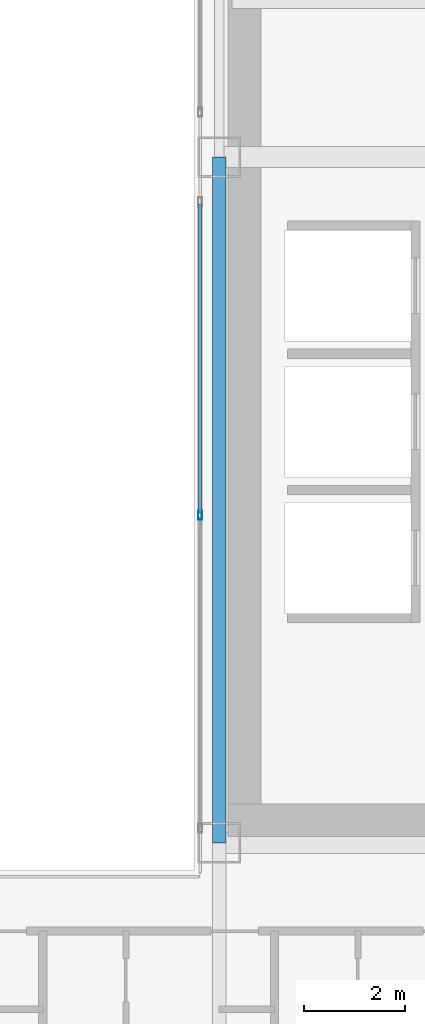
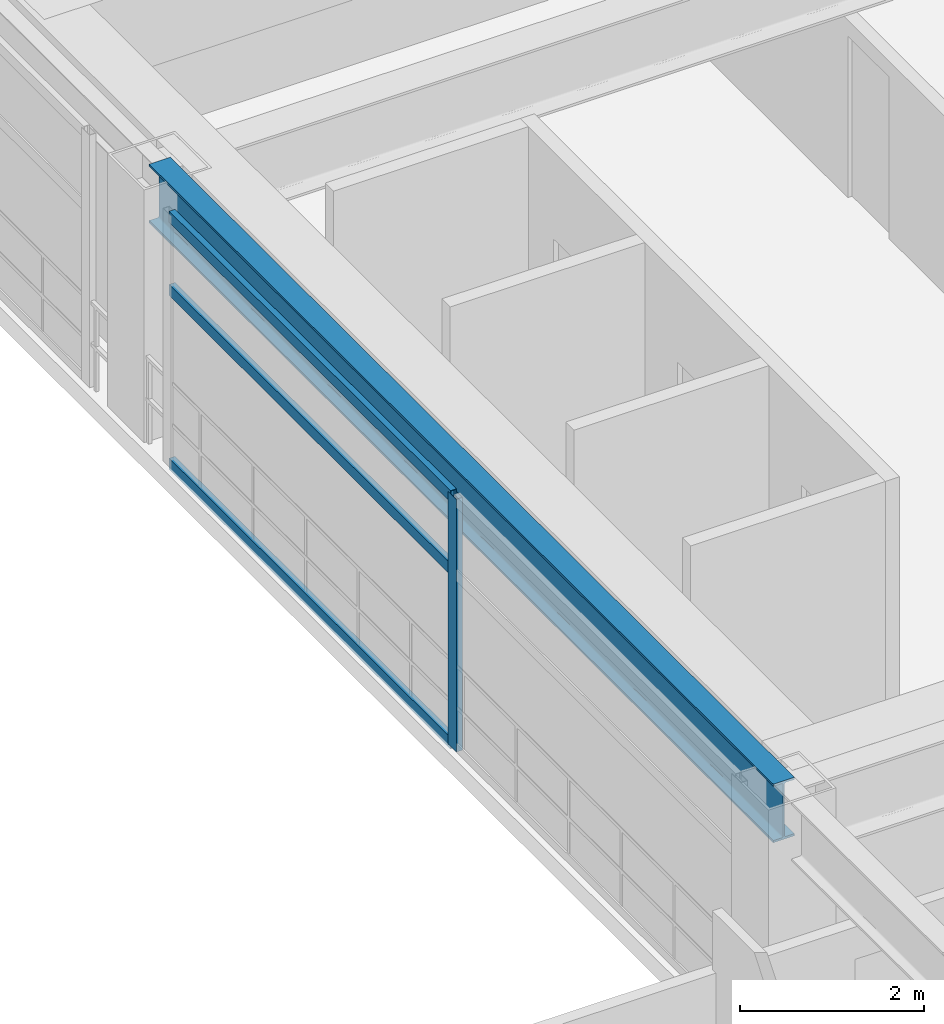
# One storey, part 15 of 39: 4 members, 1 beam, 1 element without a shape of its own.
"""IFC4 building model written with IfcOpenShell, lengths in metres."""

from ifc_helpers import new_model, si_unit, direction, frame, origin, origin_2d, place, context, subcontext, project, spatial, hollow_rectangle, i_section, extrude, source, transform, mapped, material, layer, layer_set, material_profile, profile_set, type_object, element, aggregate, save


model = new_model("IFC4")

# Units and contexts
model_context = context("Model", 3, precision=1e-05, world=origin(), true_north=direction((0.0, 1.0)))
body_context = subcontext(model_context, "Body", "Model", "MODEL_VIEW")
ifc_project = project(units=[si_unit("LENGTHUNIT", "METRE"), si_unit("AREAUNIT", "SQUARE_METRE"), si_unit("VOLUMEUNIT", "CUBIC_METRE"), si_unit("PLANEANGLEUNIT", "RADIAN"), si_unit("MASSUNIT", "GRAM", prefix="KILO")], contexts=[model_context])

# Site, building, storey
site_placement = place(None, origin())
site = spatial("IfcSite", under=ifc_project, at=site_placement, CompositionType="ELEMENT")
building_placement = place(site_placement, origin())
building = spatial("IfcBuilding", under=site, at=building_placement, Name="Ocotamira Hotel", CompositionType="ELEMENT")
storey_placement = place(building_placement, frame((0.0, 0.0, 104.39990234375)))
storey = spatial("IfcBuildingStorey", under=building, at=storey_placement, Name="L25", CompositionType="ELEMENT", Elevation=104.39990234375)

# Beam
ifc_material_1 = material(Name="Steel ASTM A992 Grade 50", Category="steel")
ifc_material_profile_1 = material_profile(ifc_material_1, i_section(OverallWidth=0.26611328125, OverallDepth=0.779052734375, WebThickness=0.0166015625, FlangeThickness=0.030029296875, FilletRadius=0.01806640625, at=origin_2d()), Name="W30X148")
ifc_profile_set_1 = profile_set([ifc_material_profile_1], Name="Steel ASTM A992 Grade 50")
beam_type = type_object("IfcBeamType", Name="BM-GIRD-W30X148", PredefinedType="BEAM", material=ifc_profile_set_1)
shared_shape_1 = source(origin(), body_context, "Body", "SweptSolid", [
    extrude(i_section(OverallWidth=0.26611328125, OverallDepth=0.779052734375, WebThickness=0.0166015625, FlangeThickness=0.030029296875, FilletRadius=0.01806640625, at=origin_2d()), origin(), (0.0, 0.0, 1.0), 13.599853515625),
])
beam_placement = place(storey_placement, frame((40.5, 14.550048828125, 2.970703125), z_axis=(0.0, 1.0, 0.0), x_axis=(-1.0, 0.0, 0.0)))
element("IfcBeam", 1, at=beam_placement, inside=storey, type_object=beam_type, Name="L25 Beam X40.5 Y14.55-28.15", PredefinedType="BEAM", context=body_context, shape_type="MappedRepresentation", body=[
    mapped(shared_shape_1, transform((0.0, 0.0, 0.0), scale=1.0)),
])

# Curtain wall, members
ifc_material_2 = material(Name="Anodised pale-metal aluminium and solar glass", Category="aluminium")
ifc_layer = layer(ifc_material_2, 0.159912109375)
ifc_layer_set = layer_set([ifc_layer], Name="Anodised pale-metal aluminium and solar glass")
curtain_wall_type = type_object("IfcCurtainWallType", Name="CW-SYS6-ATR", PredefinedType="NOTDEFINED", material=ifc_layer_set)
curtain_wall_placement = place(storey_placement, origin())
curtain_wall = element("IfcCurtainWall", 2, at=curtain_wall_placement, inside=storey, type_object=curtain_wall_type, Name="L25 Curtain Wall CW-6 CW-L25-ATRE1", PredefinedType="NOTDEFINED")
ifc_material_3 = material(Name="Anodised pale-metal aluminium 6063-T6", Category="aluminium")
ifc_material_profile_2 = material_profile(ifc_material_3, hollow_rectangle(XDim=0.074951171875, YDim=0.14990234375, WallThickness=0.006103515625, at=origin_2d()), Name="HSS150X75X6")
ifc_profile_set_2 = profile_set([ifc_material_profile_2], Name="Anodised pale-metal aluminium 6063-T6")
member_type_1 = type_object("IfcMemberType", Name="CWT-150X75", PredefinedType="USERDEFINED", material=ifc_profile_set_2)
shared_shape_2 = source(origin(), body_context, "Body", "SweptSolid", [
    extrude(hollow_rectangle(XDim=0.074951171875, YDim=0.14990234375, WallThickness=0.006103515625, at=origin_2d()), origin(), (0.0, 0.0, 1.0), 6.1298828125),
])
member_1_placement = place(storey_placement, frame((40.1201171875, 21.090087890625, 0.03759765625), z_axis=(0.0, 1.0, 0.0), x_axis=(-1.0, 0.0, 0.0)))
member_1 = element("IfcMember", 3, at=member_1_placement, type_object=member_type_1, Name="CW-6 transom 2.1", ObjectType="TRANSOM", PredefinedType="USERDEFINED", context=body_context, shape_type="MappedRepresentation", body=[
    mapped(shared_shape_2, transform((0.0, 0.0, 0.0), scale=1.0)),
])
member_2_placement = place(storey_placement, frame((40.1201171875, 21.090087890625, 2.35009765625), z_axis=(0.0, 1.0, 0.0), x_axis=(-1.0, 0.0, 0.0)))
member_2 = element("IfcMember", 4, at=member_2_placement, type_object=member_type_1, Name="CW-6 transom 2.2", ObjectType="TRANSOM", PredefinedType="USERDEFINED", context=body_context, shape_type="MappedRepresentation", body=[
    mapped(shared_shape_2, transform((0.0, 0.0, 0.0), scale=1.0)),
])
member_3_placement = place(storey_placement, frame((40.1201171875, 21.090087890625, 3.322509765625), z_axis=(0.0, 1.0, 0.0), x_axis=(-1.0, 0.0, 0.0)))
member_3 = element("IfcMember", 5, at=member_3_placement, type_object=member_type_1, Name="CW-6 transom 2.3", ObjectType="TRANSOM", PredefinedType="USERDEFINED", context=body_context, shape_type="MappedRepresentation", body=[
    mapped(shared_shape_2, transform((0.0, 0.0, 0.0), scale=1.0)),
])
ifc_material_profile_3 = material_profile(ifc_material_3, hollow_rectangle(XDim=0.080078125, YDim=0.179931640625, WallThickness=0.006103515625, at=origin_2d()), Name="HSS180X80X6")
ifc_profile_set_3 = profile_set([ifc_material_profile_3], Name="Anodised pale-metal aluminium 6063-T6")
member_type_2 = type_object("IfcMemberType", Name="CWM-180X75", PredefinedType="MULLION", material=ifc_profile_set_3)
shared_shape_3 = source(origin(), body_context, "Body", "SweptSolid", [
    extrude(hollow_rectangle(XDim=0.080078125, YDim=0.179931640625, WallThickness=0.006103515625, at=origin_2d()), origin(), (0.0, 0.0, 1.0), 3.360107421875),
])
member_4_placement = place(storey_placement, frame((40.1201171875, 21.050048828125, 0.0), z_axis=(0.0, 0.0, 1.0), x_axis=(-1.0, 0.0, 0.0)))
member_4 = element("IfcMember", 6, at=member_4_placement, type_object=member_type_2, Name="CW-6 mullion 2", PredefinedType="MULLION", context=body_context, shape_type="MappedRepresentation", body=[
    mapped(shared_shape_3, transform((0.0, 0.0, 0.0), scale=1.0)),
])
aggregate(curtain_wall, [member_4, member_1, member_2, member_3])

save(model, "model.ifc")
